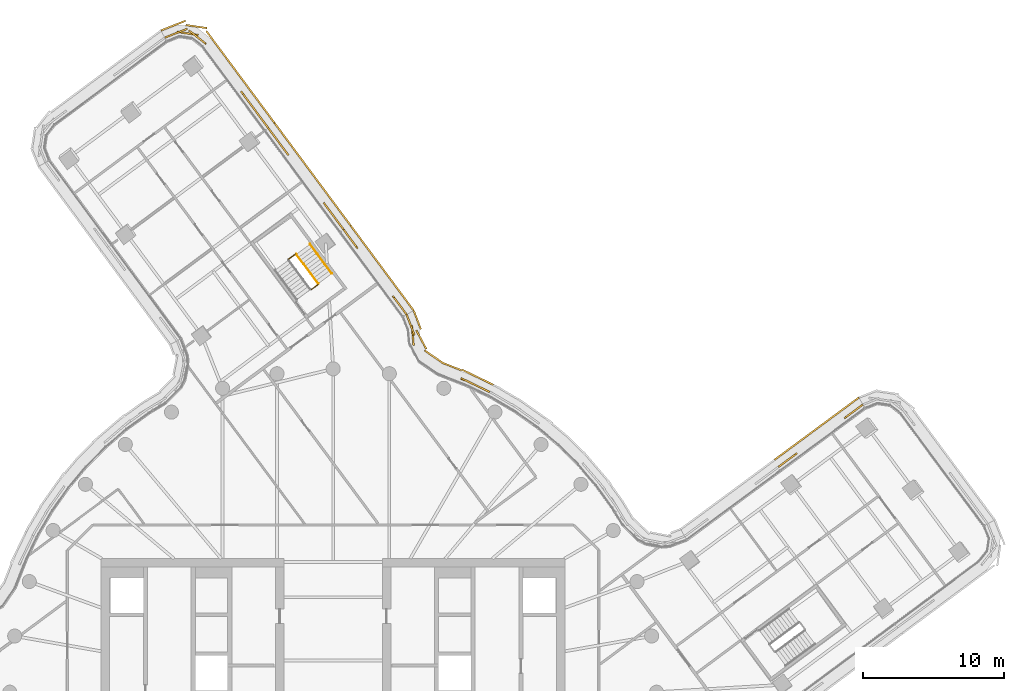
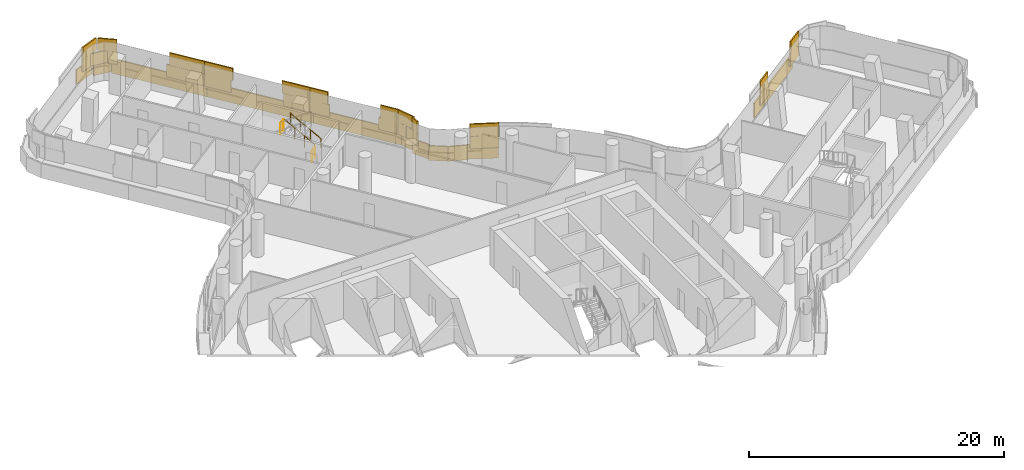
# One storey, part 32 of 32: 5 coverings, 4 railings.
"""IFC4 building model written with IfcOpenShell, lengths in metres."""

from ifc_helpers import new_model, si_unit, direction, frame, origin, origin_2d, place, context, subcontext, project, spatial, rectangle, circle, extrude, material, layer, layer_set, type_object, element, save


model = new_model("IFC4")

# Units and contexts
model_context = context("Model", 3, precision=1e-05, world=origin(), true_north=direction((0.0, 1.0)))
body_context = subcontext(model_context, "Body", "Model", "MODEL_VIEW")
ifc_project = project(units=[si_unit("LENGTHUNIT", "METRE"), si_unit("AREAUNIT", "SQUARE_METRE"), si_unit("VOLUMEUNIT", "CUBIC_METRE"), si_unit("PLANEANGLEUNIT", "RADIAN"), si_unit("MASSUNIT", "GRAM", prefix="KILO")], contexts=[model_context])

# Site, building, storey
site_placement = place(None, origin())
site = spatial("IfcSite", under=ifc_project, at=site_placement, CompositionType="ELEMENT")
building_placement = place(site_placement, origin())
building = spatial("IfcBuilding", under=site, at=building_placement, Name="Tamarind Cross Interchange Tower", CompositionType="ELEMENT")
storey_placement = place(building_placement, frame((0.0, 0.0, 166.75)))
storey = spatial("IfcBuildingStorey", under=building, at=storey_placement, Name="L41", CompositionType="ELEMENT", Elevation=166.75)

# Railings
ifc_material_1 = material(Name="Stair guard")
railing_type_1 = type_object("IfcRailingType", Name="Stair guard", PredefinedType="GUARDRAIL", material=ifc_material_1)
railing_1_placement = place(storey_placement, frame((-1.062744140625, 29.0556640625, 0.17041015625)))
element("IfcRailing", 1, at=railing_1_placement, inside=storey, type_object=railing_type_1, Name="L41 ST4 stair guard 1", PredefinedType="GUARDRAIL", context=body_context, shape_type="SweptSolid", body=[
    extrude(circle(Radius=0.02392578125, at=origin_2d()), frame((0.0, 0.0, 1.076171875), z_axis=(-0.498262505957, 0.671653146328, 0.548285077477), x_axis=(-0.803132814244, -0.595800035821, 0.0)), (0.0, 0.0, 1.0), 3.10888671875),
    extrude(circle(Radius=0.02099609375, at=origin_2d()), origin(), (0.0, 0.0, 1.0), 1.052001953125),
    extrude(circle(Radius=0.02099609375, at=origin_2d()), frame((-0.516357421875, 0.696044921875, 0.568115234375)), (0.0, 0.0, 1.0), 1.052001953125),
    extrude(circle(Radius=0.02099609375, at=origin_2d()), frame((-1.03271484375, 1.39208984375, 1.136474609375)), (0.0, 0.0, 1.0), 1.052001953125),
    extrude(circle(Radius=0.02099609375, at=origin_2d()), frame((-1.549072265625, 2.088134765625, 1.70458984375)), (0.0, 0.0, 1.0), 1.052001953125),
])
railing_2_placement = place(storey_placement, frame((-2.681884765625, 31.154296875, 1.875)))
element("IfcRailing", 2, at=railing_2_placement, inside=storey, type_object=railing_type_1, Name="L41 ST4 stair guard 2", PredefinedType="GUARDRAIL", context=body_context, shape_type="SweptSolid", body=[
    extrude(circle(Radius=0.02392578125, at=origin_2d()), frame((0.0, 0.0, 1.076171875), z_axis=(-0.80306661219, -0.595889265204, 0.0), x_axis=(0.595889265204, -0.80306661219, 0.0)), (0.0, 0.0, 1.0), 0.599853515625),
    extrude(circle(Radius=0.02099609375, at=origin_2d()), origin(), (0.0, 0.0, 1.0), 1.052001953125),
    extrude(circle(Radius=0.02099609375, at=origin_2d()), frame((-0.481689453125, -0.357421875, 0.0)), (0.0, 0.0, 1.0), 1.052001953125),
])
railing_3_placement = place(storey_placement, frame((-1.0732421875, 28.98583984375, 0.0)))
element("IfcRailing", 3, at=railing_3_placement, inside=storey, type_object=railing_type_1, Name="L41 ST4 stair guard 4", PredefinedType="GUARDRAIL", context=body_context, shape_type="SweptSolid", body=[
    extrude(circle(Radius=0.02392578125, at=origin_2d()), frame((0.0, 0.0, 1.076171875), z_axis=(-0.803016388369, -0.595956944762, 0.0), x_axis=(0.595956944762, -0.803016388369, 0.0)), (0.0, 0.0, 1.0), 0.60009765625),
    extrude(circle(Radius=0.02099609375, at=origin_2d()), origin(), (0.0, 0.0, 1.0), 1.052001953125),
    extrude(circle(Radius=0.02099609375, at=origin_2d()), frame((-0.48193359375, -0.357666015625, 0.0)), (0.0, 0.0, 1.0), 1.052001953125),
])
ifc_material_2 = material(Name="Stair handrail")
railing_type_2 = type_object("IfcRailingType", Name="Stair handrail", PredefinedType="HANDRAIL", material=ifc_material_2)
railing_4_placement = place(storey_placement, frame((-0.09912109375, 29.770751953125, 0.17041015625)))
element("IfcRailing", 4, at=railing_4_placement, inside=storey, type_object=railing_type_2, Name="L41 ST4 stair handrail 1", PredefinedType="HANDRAIL", context=body_context, shape_type="SweptSolid", body=[
    extrude(circle(Radius=0.02392578125, at=origin_2d()), frame((0.0, 0.0, 0.8759765625), z_axis=(-0.498262505957, 0.671653146328, 0.548285077477), x_axis=(-0.803132814244, -0.595800035821, 0.0)), (0.0, 0.0, 1.0), 3.10888671875),
    extrude(circle(Radius=0.02099609375, at=origin_2d()), origin(), (0.0, 0.0, 1.0), 0.851806640625),
    extrude(circle(Radius=0.02099609375, at=origin_2d()), frame((-0.516357421875, 0.696044921875, 0.568115234375)), (0.0, 0.0, 1.0), 0.851806640625),
    extrude(circle(Radius=0.02099609375, at=origin_2d()), frame((-1.03271484375, 1.39208984375, 1.136474609375)), (0.0, 0.0, 1.0), 0.851806640625),
    extrude(circle(Radius=0.02099609375, at=origin_2d()), frame((-1.549072265625, 2.088134765625, 1.70458984375)), (0.0, 0.0, 1.0), 0.851806640625),
])

# Coverings
ifc_material_3 = material(Name="Terracotta", Category="masonry")
ifc_layer = layer(ifc_material_3, 0.1201171875)
ifc_layer_set = layer_set([ifc_layer], Name="Terracotta")
covering_type = type_object("IfcCoveringType", Name="Terracotta baguette screen unit", PredefinedType="MOLDING", material=ifc_layer_set)
covering_1_placement = place(storey_placement, origin())
element("IfcCovering", 5, at=covering_1_placement, inside=storey, type_object=covering_type, Name="SCR-L41-01-00", PredefinedType="MOLDING", context=body_context, shape_type="SweptSolid", body=[
    extrude(rectangle(XDim=0.760009765625, YDim=0.1201171875, at=origin_2d()), frame((37.370849609375, 20.23095703125, 1.404052734375), z_axis=(0.0, 0.0, 1.0), x_axis=(-0.804598427384, -0.593819308082, 0.0)), (0.0, 0.0, 1.0), 1.1669921875),
    extrude(rectangle(XDim=0.890380859375, YDim=0.1201171875, at=origin_2d()), frame((36.71484375, 19.746826171875, 1.404052734375), z_axis=(0.0, 0.0, 1.0), x_axis=(-0.804598427384, -0.593819308082, 0.0)), (0.0, 0.0, 1.0), 1.1669921875),
    extrude(rectangle(XDim=0.9296875, YDim=0.1201171875, at=origin_2d()), frame((32.611328125, 16.71826171875, 1.404052734375), z_axis=(0.0, 0.0, 1.0), x_axis=(-0.804598427384, -0.593819308082, 0.0)), (0.0, 0.0, 1.0), 1.1669921875),
    extrude(rectangle(XDim=0.720703125, YDim=0.1201171875, at=origin_2d()), frame((31.95556640625, 16.234130859375, 1.404052734375), z_axis=(0.0, 0.0, 1.0), x_axis=(-0.804598427384, -0.593819308082, 0.0)), (0.0, 0.0, 1.0), 1.1669921875),
    extrude(rectangle(XDim=1.510009765625, YDim=0.1201171875, at=origin_2d()), frame((37.069091796875, 20.008056640625, 2.5791015625), z_axis=(0.0, 0.0, 1.0), x_axis=(-0.804598427384, -0.593819308082, 0.0)), (0.0, 0.0, 1.0), 1.1669921875),
    extrude(rectangle(XDim=1.470703125, YDim=0.1201171875, at=origin_2d()), frame((32.25732421875, 16.45703125, 2.5791015625), z_axis=(0.0, 0.0, 1.0), x_axis=(-0.804598427384, -0.593819308082, 0.0)), (0.0, 0.0, 1.0), 1.1669921875),
    extrude(rectangle(XDim=0.760009765625, YDim=0.1201171875, at=origin_2d()), frame((37.086181640625, 20.734130859375, 0.00390625), z_axis=(0.0, 0.0, 1.0), x_axis=(-0.804598427384, -0.593819308082, 0.0)), (0.0, 0.0, 1.0), 1.39208984375),
    extrude(rectangle(XDim=1.52001953125, YDim=0.1201171875, at=origin_2d()), frame((36.18505859375, 20.069091796875, 0.00390625), z_axis=(0.0, 0.0, 1.0), x_axis=(-0.804598427384, -0.593819308082, 0.0)), (0.0, 0.0, 1.0), 1.39208984375),
    extrude(rectangle(XDim=1.52001953125, YDim=0.1201171875, at=origin_2d()), frame((34.97802734375, 19.178466796875, 0.00390625), z_axis=(0.0, 0.0, 1.0), x_axis=(-0.804598427384, -0.593819308082, 0.0)), (0.0, 0.0, 1.0), 1.39208984375),
    extrude(rectangle(XDim=1.52001953125, YDim=0.1201171875, at=origin_2d()), frame((33.771240234375, 18.28759765625, 0.00390625), z_axis=(0.0, 0.0, 1.0), x_axis=(-0.804598427384, -0.593819308082, 0.0)), (0.0, 0.0, 1.0), 1.39208984375),
    extrude(rectangle(XDim=1.52001953125, YDim=0.1201171875, at=origin_2d()), frame((32.564208984375, 17.39697265625, 0.00390625), z_axis=(0.0, 0.0, 1.0), x_axis=(-0.804598427384, -0.593819308082, 0.0)), (0.0, 0.0, 1.0), 1.39208984375),
    extrude(rectangle(XDim=0.718505859375, YDim=0.1201171875, at=origin_2d()), frame((31.679931640625, 16.744140625, 0.00390625), z_axis=(0.0, 0.0, 1.0), x_axis=(-0.804598427384, -0.593819308082, 0.0)), (0.0, 0.0, 1.0), 1.39208984375),
])
covering_2_placement = place(storey_placement, origin())
element("IfcCovering", 6, at=covering_2_placement, inside=storey, type_object=covering_type, Name="SCR-L41-02-01", PredefinedType="MOLDING", context=body_context, shape_type="SweptSolid", body=[
    extrude(rectangle(XDim=0.433349609375, YDim=0.1201171875, at=origin_2d()), frame((10.941650390625, 21.4404296875, 1.404052734375), z_axis=(0.0, 0.0, 1.0), x_axis=(-0.900272776334, 0.435326231914, 0.0)), (0.0, 0.0, 1.0), 1.1669921875),
    extrude(rectangle(XDim=1.52001953125, YDim=0.1201171875, at=origin_2d()), frame((10.075927734375, 21.859130859375, 1.404052734375), z_axis=(0.0, 0.0, 1.0), x_axis=(-0.900272776334, 0.435326231914, 0.0)), (0.0, 0.0, 1.0), 1.1669921875),
    extrude(rectangle(XDim=0.3603515625, YDim=0.1201171875, at=origin_2d()), frame((9.2314453125, 22.2353515625, 1.404052734375), z_axis=(0.0, 0.0, 1.0), x_axis=(-0.931067722103, 0.364846401733, 0.0)), (0.0, 0.0, 1.0), 1.1669921875),
    extrude(rectangle(XDim=1.45947265625, YDim=0.1201171875, at=origin_2d()), frame((5.656005859375, 25.38720703125, 1.404052734375), z_axis=(0.0, 0.0, 1.0), x_axis=(-0.090809442771, 0.995868287026, 0.0)), (0.0, 0.0, 1.0), 1.1669921875),
    extrude(rectangle(XDim=0.834228515625, YDim=0.1201171875, at=origin_2d()), frame((5.368408203125, 26.4765625, 1.404052734375), z_axis=(0.0, 0.0, 1.0), x_axis=(-0.35656006872, 0.934272399996, 0.0)), (0.0, 0.0, 1.0), 1.1669921875),
    extrude(rectangle(XDim=1.183349609375, YDim=0.1201171875, at=origin_2d()), frame((10.60400390625, 21.603759765625, 2.5791015625), z_axis=(0.0, 0.0, 1.0), x_axis=(-0.900272776334, 0.435326231914, 0.0)), (0.0, 0.0, 1.0), 1.1669921875),
    extrude(rectangle(XDim=1.1103515625, YDim=0.1201171875, at=origin_2d()), frame((9.58056640625, 22.0986328125, 2.5791015625), z_axis=(0.0, 0.0, 1.0), x_axis=(-0.900272776334, 0.435326231914, 0.0)), (0.0, 0.0, 1.0), 1.1669921875),
    extrude(rectangle(XDim=0.70947265625, YDim=0.1201171875, at=origin_2d()), frame((5.68994140625, 25.013671875, 2.5791015625), z_axis=(0.0, 0.0, 1.0), x_axis=(-0.090809442771, 0.995868287026, 0.0)), (0.0, 0.0, 1.0), 1.1669921875),
    extrude(rectangle(XDim=1.52001953125, YDim=0.1201171875, at=origin_2d()), frame((5.515380859375, 26.091552734375, 2.5791015625), z_axis=(0.0, 0.0, 1.0), x_axis=(-0.35656006872, 0.934272399996, 0.0)), (0.0, 0.0, 1.0), 1.1669921875),
    extrude(rectangle(XDim=0.084228515625, YDim=0.1201171875, at=origin_2d()), frame((5.234619140625, 26.826904296875, 2.5791015625), z_axis=(0.0, 0.0, 1.0), x_axis=(-0.35656006872, 0.934272399996, 0.0)), (0.0, 0.0, 1.0), 1.1669921875),
    extrude(rectangle(XDim=1.000732421875, YDim=0.1201171875, at=origin_2d()), frame((10.947509765625, 22.0751953125, 0.00390625), z_axis=(0.0, 0.0, 1.0), x_axis=(-0.900272776334, 0.435326231914, 0.0)), (0.0, 0.0, 1.0), 1.39208984375),
    extrude(rectangle(XDim=1.52001953125, YDim=0.1201171875, at=origin_2d()), frame((9.830810546875, 22.615234375, 0.00390625), z_axis=(0.0, 0.0, 1.0), x_axis=(-0.900272776334, 0.435326231914, 0.0)), (0.0, 0.0, 1.0), 1.39208984375),
    extrude(rectangle(XDim=1.52001953125, YDim=0.1201171875, at=origin_2d()), frame((8.434814453125, 23.1640625, 0.00390625), z_axis=(0.0, 0.0, 1.0), x_axis=(-0.931067722103, 0.364846401733, 0.0)), (0.0, 0.0, 1.0), 1.39208984375),
    extrude(rectangle(XDim=1.52001953125, YDim=0.1201171875, at=origin_2d()), frame((7.127685546875, 23.880126953125, 0.00390625), z_axis=(0.0, 0.0, 1.0), x_axis=(-0.825321175253, 0.564663579204, 0.0)), (0.0, 0.0, 1.0), 1.39208984375),
    extrude(rectangle(XDim=1.52001953125, YDim=0.1201171875, at=origin_2d()), frame((6.27099609375, 25.068115234375, 0.00390625), z_axis=(0.0, 0.0, 1.0), x_axis=(-0.469143192596, 0.883122112078, 0.0)), (0.0, 0.0, 1.0), 1.39208984375),
    extrude(rectangle(XDim=1.421630859375, YDim=0.1201171875, at=origin_2d()), frame((5.98291015625, 26.47607421875, 0.00390625), z_axis=(0.0, 0.0, 1.0), x_axis=(-0.35656006872, 0.934272399996, 0.0)), (0.0, 0.0, 1.0), 1.39208984375),
])
covering_3_placement = place(storey_placement, origin())
element("IfcCovering", 7, at=covering_3_placement, inside=storey, type_object=covering_type, Name="SCR-L41-03-00", PredefinedType="MOLDING", context=body_context, shape_type="SweptSolid", body=[
    extrude(rectangle(XDim=0.760009765625, YDim=0.1201171875, at=origin_2d()), frame((4.998046875, 27.162841796875, 1.404052734375), z_axis=(0.0, 0.0, 1.0), x_axis=(-0.595776404136, 0.803150344752, 0.0)), (0.0, 0.0, 1.0), 1.1669921875),
    extrude(rectangle(XDim=0.91064453125, YDim=0.1201171875, at=origin_2d()), frame((4.50634765625, 27.82568359375, 1.404052734375), z_axis=(0.0, 0.0, 1.0), x_axis=(-0.595776404136, 0.803150344752, 0.0)), (0.0, 0.0, 1.0), 1.1669921875),
    extrude(rectangle(XDim=0.909423828125, YDim=0.1201171875, at=origin_2d()), frame((1.4677734375, 31.921630859375, 1.404052734375), z_axis=(0.0, 0.0, 1.0), x_axis=(-0.595776404136, 0.803150344752, 0.0)), (0.0, 0.0, 1.0), 1.1669921875),
    extrude(rectangle(XDim=0.761474609375, YDim=0.1201171875, at=origin_2d()), frame((0.97607421875, 32.584716796875, 1.404052734375), z_axis=(0.0, 0.0, 1.0), x_axis=(-0.595776404136, 0.803150344752, 0.0)), (0.0, 0.0, 1.0), 1.1669921875),
    extrude(rectangle(XDim=1.510009765625, YDim=0.1201171875, at=origin_2d()), frame((4.774658203125, 27.4638671875, 2.5791015625), z_axis=(0.0, 0.0, 1.0), x_axis=(-0.595776404136, 0.803150344752, 0.0)), (0.0, 0.0, 1.0), 1.1669921875),
    extrude(rectangle(XDim=1.52001953125, YDim=0.1201171875, at=origin_2d()), frame((1.199951171875, 32.282958984375, 2.5791015625), z_axis=(0.0, 0.0, 1.0), x_axis=(-0.595776404136, 0.803150344752, 0.0)), (0.0, 0.0, 1.0), 1.1669921875),
    extrude(rectangle(XDim=0.760009765625, YDim=0.1201171875, at=origin_2d()), frame((5.503173828125, 27.4453125, 0.00390625), z_axis=(0.0, 0.0, 1.0), x_axis=(-0.595776404136, 0.803150344752, 0.0)), (0.0, 0.0, 1.0), 1.39208984375),
    extrude(rectangle(XDim=1.52001953125, YDim=0.1201171875, at=origin_2d()), frame((4.8359375, 28.3447265625, 0.00390625), z_axis=(0.0, 0.0, 1.0), x_axis=(-0.595776404136, 0.803150344752, 0.0)), (0.0, 0.0, 1.0), 1.39208984375),
    extrude(rectangle(XDim=1.52001953125, YDim=0.1201171875, at=origin_2d()), frame((3.942138671875, 29.549560546875, 0.00390625), z_axis=(0.0, 0.0, 1.0), x_axis=(-0.595776404136, 0.803150344752, 0.0)), (0.0, 0.0, 1.0), 1.39208984375),
    extrude(rectangle(XDim=1.52001953125, YDim=0.1201171875, at=origin_2d()), frame((3.048583984375, 30.75439453125, 0.00390625), z_axis=(0.0, 0.0, 1.0), x_axis=(-0.595776404136, 0.803150344752, 0.0)), (0.0, 0.0, 1.0), 1.39208984375),
    extrude(rectangle(XDim=1.52001953125, YDim=0.1201171875, at=origin_2d()), frame((2.15478515625, 31.958984375, 0.00390625), z_axis=(0.0, 0.0, 1.0), x_axis=(-0.595776404136, 0.803150344752, 0.0)), (0.0, 0.0, 1.0), 1.39208984375),
    extrude(rectangle(XDim=0.809814453125, YDim=0.1201171875, at=origin_2d()), frame((1.47265625, 32.87841796875, 0.00390625), z_axis=(0.0, 0.0, 1.0), x_axis=(-0.595776404136, 0.803150344752, 0.0)), (0.0, 0.0, 1.0), 1.39208984375),
])
covering_4_placement = place(storey_placement, origin())
element("IfcCovering", 8, at=covering_4_placement, inside=storey, type_object=covering_type, Name="SCR-L41-03-01", PredefinedType="MOLDING", context=body_context, shape_type="SweptSolid", body=[
    extrude(rectangle(XDim=0.758544921875, YDim=0.1201171875, at=origin_2d()), frame((0.529296875, 33.18701171875, 1.404052734375), z_axis=(0.0, 0.0, 1.0), x_axis=(-0.595776404136, 0.803150344752, 0.0)), (0.0, 0.0, 1.0), 1.1669921875),
    extrude(rectangle(XDim=1.52001953125, YDim=0.1201171875, at=origin_2d()), frame((-0.140625, 34.08984375, 1.404052734375), z_axis=(0.0, 0.0, 1.0), x_axis=(-0.595776404136, 0.803150344752, 0.0)), (0.0, 0.0, 1.0), 1.1669921875),
    extrude(rectangle(XDim=1.52001953125, YDim=0.1201171875, at=origin_2d()), frame((-3.71533203125, 38.908935546875, 1.404052734375), z_axis=(0.0, 0.0, 1.0), x_axis=(-0.595776404136, 0.803150344752, 0.0)), (0.0, 0.0, 1.0), 1.1669921875),
    extrude(rectangle(XDim=0.7705078125, YDim=0.1201171875, at=origin_2d()), frame((-4.388671875, 39.816650390625, 1.404052734375), z_axis=(0.0, 0.0, 1.0), x_axis=(-0.595776404136, 0.803150344752, 0.0)), (0.0, 0.0, 1.0), 1.1669921875),
    extrude(rectangle(XDim=1.508544921875, YDim=0.1201171875, at=origin_2d()), frame((0.305908203125, 33.488037109375, 2.5791015625), z_axis=(0.0, 0.0, 1.0), x_axis=(-0.595776404136, 0.803150344752, 0.0)), (0.0, 0.0, 1.0), 1.1669921875),
    extrude(rectangle(XDim=0.916015625, YDim=0.1201171875, at=origin_2d()), frame((-0.410400390625, 34.453857421875, 2.5791015625), z_axis=(0.0, 0.0, 1.0), x_axis=(-0.595776404136, 0.803150344752, 0.0)), (0.0, 0.0, 1.0), 1.1669921875),
    extrude(rectangle(XDim=0.904052734375, YDim=0.1201171875, at=origin_2d()), frame((-3.448974609375, 38.5498046875, 2.5791015625), z_axis=(0.0, 0.0, 1.0), x_axis=(-0.595776404136, 0.803150344752, 0.0)), (0.0, 0.0, 1.0), 1.1669921875),
    extrude(rectangle(XDim=1.52001953125, YDim=0.1201171875, at=origin_2d()), frame((-4.162109375, 39.51123046875, 2.5791015625), z_axis=(0.0, 0.0, 1.0), x_axis=(-0.595776404136, 0.803150344752, 0.0)), (0.0, 0.0, 1.0), 1.1669921875),
    extrude(rectangle(XDim=0.710205078125, YDim=0.1201171875, at=origin_2d()), frame((1.02001953125, 33.489013671875, 0.00390625), z_axis=(0.0, 0.0, 1.0), x_axis=(-0.595776404136, 0.803150344752, 0.0)), (0.0, 0.0, 1.0), 1.39208984375),
    extrude(rectangle(XDim=1.52001953125, YDim=0.1201171875, at=origin_2d()), frame((0.367431640625, 34.368408203125, 0.00390625), z_axis=(0.0, 0.0, 1.0), x_axis=(-0.595776404136, 0.803150344752, 0.0)), (0.0, 0.0, 1.0), 1.39208984375),
    extrude(rectangle(XDim=1.52001953125, YDim=0.1201171875, at=origin_2d()), frame((-0.526123046875, 35.5732421875, 0.00390625), z_axis=(0.0, 0.0, 1.0), x_axis=(-0.595776404136, 0.803150344752, 0.0)), (0.0, 0.0, 1.0), 1.39208984375),
    extrude(rectangle(XDim=1.52001953125, YDim=0.1201171875, at=origin_2d()), frame((-1.419921875, 36.77783203125, 0.00390625), z_axis=(0.0, 0.0, 1.0), x_axis=(-0.595776404136, 0.803150344752, 0.0)), (0.0, 0.0, 1.0), 1.39208984375),
    extrude(rectangle(XDim=1.52001953125, YDim=0.1201171875, at=origin_2d()), frame((-2.3134765625, 37.982666015625, 0.00390625), z_axis=(0.0, 0.0, 1.0), x_axis=(-0.595776404136, 0.803150344752, 0.0)), (0.0, 0.0, 1.0), 1.39208984375),
    extrude(rectangle(XDim=1.52001953125, YDim=0.1201171875, at=origin_2d()), frame((-3.207275390625, 39.187255859375, 0.00390625), z_axis=(0.0, 0.0, 1.0), x_axis=(-0.595776404136, 0.803150344752, 0.0)), (0.0, 0.0, 1.0), 1.39208984375),
    extrude(rectangle(XDim=0.876953125, YDim=0.1201171875, at=origin_2d()), frame((-3.9091796875, 40.1337890625, 0.00390625), z_axis=(0.0, 0.0, 1.0), x_axis=(-0.595776404136, 0.803150344752, 0.0)), (0.0, 0.0, 1.0), 1.39208984375),
])
covering_5_placement = place(storey_placement, origin())
element("IfcCovering", 9, at=covering_5_placement, inside=storey, type_object=covering_type, Name="SCR-L41-03-02", PredefinedType="MOLDING", context=body_context, shape_type="SweptSolid", body=[
    extrude(rectangle(XDim=0.74951171875, YDim=0.1201171875, at=origin_2d()), frame((-4.83544921875, 40.4189453125, 1.404052734375), z_axis=(0.0, 0.0, 1.0), x_axis=(-0.595776404136, 0.803150344752, 0.0)), (0.0, 0.0, 1.0), 1.1669921875),
    extrude(rectangle(XDim=1.52001953125, YDim=0.1201171875, at=origin_2d()), frame((-5.502685546875, 41.318359375, 1.404052734375), z_axis=(0.0, 0.0, 1.0), x_axis=(-0.595776404136, 0.803150344752, 0.0)), (0.0, 0.0, 1.0), 1.1669921875),
    extrude(rectangle(XDim=1.017822265625, YDim=0.1201171875, at=origin_2d()), frame((-6.24951171875, 42.325439453125, 1.404052734375), z_axis=(0.0, 0.0, 1.0), x_axis=(-0.595776404136, 0.803150344752, 0.0)), (0.0, 0.0, 1.0), 1.1669921875),
    extrude(rectangle(XDim=0.80224609375, YDim=0.1201171875, at=origin_2d()), frame((-9.3583984375, 46.353515625, 1.404052734375), z_axis=(0.0, 0.0, 1.0), x_axis=(-0.783346420751, 0.621585380376, 0.0)), (0.0, 0.0, 1.0), 1.1669921875),
    extrude(rectangle(XDim=1.52001953125, YDim=0.1201171875, at=origin_2d()), frame((-10.3486328125, 46.852294921875, 1.404052734375), z_axis=(0.0, 0.0, 1.0), x_axis=(-0.989190590522, 0.146635519651, 0.0)), (0.0, 0.0, 1.0), 1.1669921875),
    extrude(rectangle(XDim=0.965087890625, YDim=0.1201171875, at=origin_2d()), frame((-11.52783203125, 46.72705078125, 1.404052734375), z_axis=(0.0, 0.0, 1.0), x_axis=(-0.929981940402, -0.367605210146, 0.0)), (0.0, 0.0, 1.0), 1.1669921875),
    extrude(rectangle(XDim=1.49951171875, YDim=0.1201171875, at=origin_2d()), frame((-5.058837890625, 40.72021484375, 2.5791015625), z_axis=(0.0, 0.0, 1.0), x_axis=(-0.595776404136, 0.803150344752, 0.0)), (0.0, 0.0, 1.0), 1.1669921875),
    extrude(rectangle(XDim=1.52001953125, YDim=0.1201171875, at=origin_2d()), frame((-5.949462890625, 41.920654296875, 2.5791015625), z_axis=(0.0, 0.0, 1.0), x_axis=(-0.595776404136, 0.803150344752, 0.0)), (0.0, 0.0, 1.0), 1.1669921875),
    extrude(rectangle(XDim=1.52001953125, YDim=0.1201171875, at=origin_2d()), frame((-9.668701171875, 46.599609375, 2.5791015625), z_axis=(0.0, 0.0, 1.0), x_axis=(-0.783346420751, 0.621585380376, 0.0)), (0.0, 0.0, 1.0), 1.1669921875),
    extrude(rectangle(XDim=1.52001953125, YDim=0.1201171875, at=origin_2d()), frame((-11.083740234375, 46.902587890625, 2.5791015625), z_axis=(0.0, 0.0, 1.0), x_axis=(-0.929981940402, -0.367605210146, 0.0)), (0.0, 0.0, 1.0), 1.1669921875),
    extrude(rectangle(XDim=0.215087890625, YDim=0.1201171875, at=origin_2d()), frame((-11.876708984375, 46.589111328125, 2.5791015625), z_axis=(0.0, 0.0, 1.0), x_axis=(-0.929981940402, -0.367605210146, 0.0)), (0.0, 0.0, 1.0), 1.1669921875),
    extrude(rectangle(XDim=0.64306640625, YDim=0.1201171875, at=origin_2d()), frame((-4.362060546875, 40.744140625, 0.00390625), z_axis=(0.0, 0.0, 1.0), x_axis=(-0.595776404136, 0.803150344752, 0.0)), (0.0, 0.0, 1.0), 1.39208984375),
    extrude(rectangle(XDim=1.52001953125, YDim=0.1201171875, at=origin_2d()), frame((-4.994384765625, 41.596923828125, 0.00390625), z_axis=(0.0, 0.0, 1.0), x_axis=(-0.595776404136, 0.803150344752, 0.0)), (0.0, 0.0, 1.0), 1.39208984375),
    extrude(rectangle(XDim=1.52001953125, YDim=0.1201171875, at=origin_2d()), frame((-5.88818359375, 42.801513671875, 0.00390625), z_axis=(0.0, 0.0, 1.0), x_axis=(-0.595776404136, 0.803150344752, 0.0)), (0.0, 0.0, 1.0), 1.39208984375),
    extrude(rectangle(XDim=1.52001953125, YDim=0.1201171875, at=origin_2d()), frame((-6.78173828125, 44.00634765625, 0.00390625), z_axis=(0.0, 0.0, 1.0), x_axis=(-0.595776404136, 0.803150344752, 0.0)), (0.0, 0.0, 1.0), 1.39208984375),
    extrude(rectangle(XDim=1.52001953125, YDim=0.1201171875, at=origin_2d()), frame((-7.675537109375, 45.2109375, 0.00390625), z_axis=(0.0, 0.0, 1.0), x_axis=(-0.595776404136, 0.803150344752, 0.0)), (0.0, 0.0, 1.0), 1.39208984375),
    extrude(rectangle(XDim=1.52001953125, YDim=0.1201171875, at=origin_2d()), frame((-8.569091796875, 46.415771484375, 0.00390625), z_axis=(0.0, 0.0, 1.0), x_axis=(-0.595776404136, 0.803150344752, 0.0)), (0.0, 0.0, 1.0), 1.39208984375),
    extrude(rectangle(XDim=1.52001953125, YDim=0.1201171875, at=origin_2d()), frame((-9.732666015625, 47.34130859375, 0.00390625), z_axis=(0.0, 0.0, 1.0), x_axis=(-0.989190590522, 0.146635519651, 0.0)), (0.0, 0.0, 1.0), 1.39208984375),
    extrude(rectangle(XDim=1.52001953125, YDim=0.1201171875, at=origin_2d()), frame((-11.2060546875, 47.471435546875, 0.00390625), z_axis=(0.0, 0.0, 1.0), x_axis=(-0.929981940402, -0.367605210146, 0.0)), (0.0, 0.0, 1.0), 1.39208984375),
    extrude(rectangle(XDim=0.385986328125, YDim=0.1201171875, at=origin_2d()), frame((-12.07373046875, 47.12841796875, 0.00390625), z_axis=(0.0, 0.0, 1.0), x_axis=(-0.929981940402, -0.367605210146, 0.0)), (0.0, 0.0, 1.0), 1.39208984375),
])

save(model, "model.ifc")
